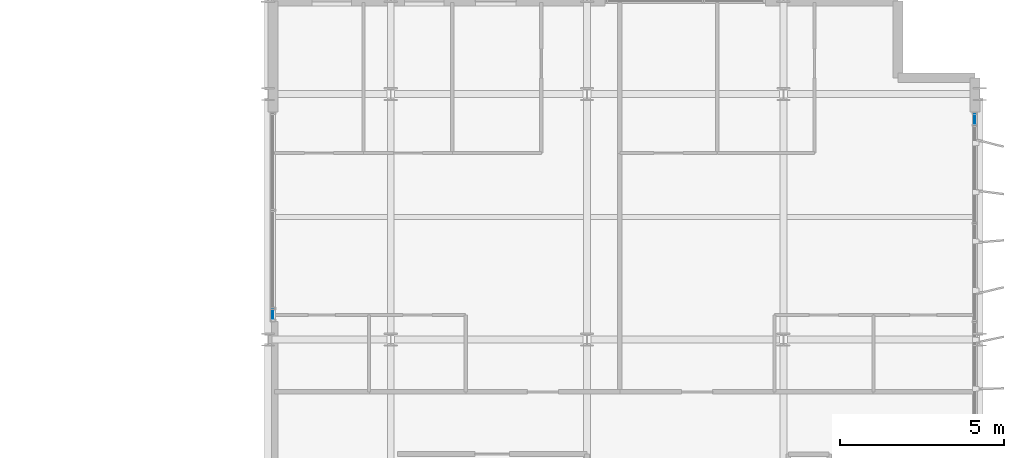
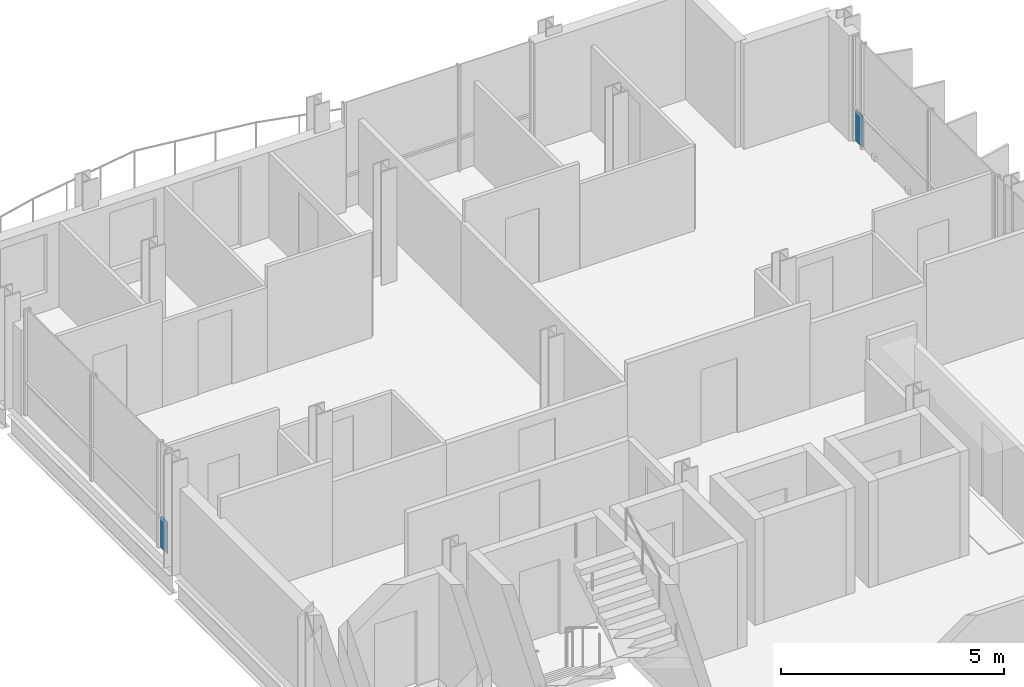
# One storey, part 20 of 28: 2 plates, 2 elements without a shape of their own.
"""IFC4 building model written with IfcOpenShell, lengths in metres."""

from ifc_helpers import new_model, si_unit, direction, frame, origin, origin_2d, place, context, subcontext, project, spatial, rectangle, extrude, material, layer, layer_set, type_object, element, aggregate, save


model = new_model("IFC4")

# Units and contexts
model_context = context("Model", 3, precision=1e-05, world=origin(), true_north=direction((0.0, 1.0)))
body_context = subcontext(model_context, "Body", "Model", "MODEL_VIEW")
ifc_project = project(units=[si_unit("LENGTHUNIT", "METRE"), si_unit("AREAUNIT", "SQUARE_METRE"), si_unit("VOLUMEUNIT", "CUBIC_METRE"), si_unit("PLANEANGLEUNIT", "RADIAN"), si_unit("MASSUNIT", "GRAM", prefix="KILO")], contexts=[model_context])

# Site, building, storey
site_placement = place(None, origin())
site = spatial("IfcSite", under=ifc_project, at=site_placement, CompositionType="ELEMENT")
building_placement = place(site_placement, origin())
building = spatial("IfcBuilding", under=site, at=building_placement, Name="Brevholm Reach", CompositionType="ELEMENT")
storey_placement = place(building_placement, frame((0.0, 0.0, 192.5)))
storey = spatial("IfcBuildingStorey", under=building, at=storey_placement, Name="L58", CompositionType="ELEMENT", Elevation=192.5)

# Curtain wall, plate
ifc_material_1 = material(Name="Dark Anodised Aluminium 6063-T6 and Solar-Control Glass", Category="aluminium")
ifc_layer_1 = layer(ifc_material_1, 0.1650390625)
ifc_layer_set_1 = layer_set([ifc_layer_1], Name="Dark Anodised Aluminium 6063-T6 and Solar-Control Glass")
curtain_wall_type_1 = type_object("IfcCurtainWallType", Name="CW-04", PredefinedType="NOTDEFINED", material=ifc_layer_set_1)
curtain_wall_1_placement = place(storey_placement, origin())
curtain_wall_1 = element("IfcCurtainWall", 1, at=curtain_wall_1_placement, inside=storey, type_object=curtain_wall_type_1, Name="L58 Curtain Wall CW-04", PredefinedType="NOTDEFINED")
ifc_material_2 = material(Name="Dark Solar-Control Double-Glazed IGU Glass", Category="glass")
ifc_layer_2 = layer(ifc_material_2, 0.028076171875)
ifc_layer_set_2 = layer_set([ifc_layer_2], Name="Dark Solar-Control Double-Glazed IGU Glass")
plate_type = type_object("IfcPlateType", Name="CWP-GLZ-28", PredefinedType="CURTAIN_PANEL", material=ifc_layer_set_2)
plate_1_placement = place(storey_placement, frame((38.39990234375, 16.767578125, 0.0), z_axis=(0.0, 0.0, 1.0), x_axis=(0.0, -1.0, 0.0)))
plate_1 = element("IfcPlate", 2, at=plate_1_placement, type_object=plate_type, Name="CP-01 Glazing Panel 3.1", PredefinedType="CURTAIN_PANEL", context=body_context, shape_type="SweptSolid", body=[
    extrude(rectangle(XDim=0.294921875, YDim=0.028076171875, at=origin_2d()), origin(), (0.0, 0.0, 1.0), 0.864990234375),
])
aggregate(curtain_wall_1, [plate_1])

ifc_material_3 = material(Name="Dark Anodised Aluminium 6063-T6 and Solar-Control Glass", Category="aluminium")
ifc_layer_3 = layer(ifc_material_3, 0.14990234375)
ifc_layer_set_3 = layer_set([ifc_layer_3], Name="Dark Anodised Aluminium 6063-T6 and Solar-Control Glass")
curtain_wall_type_2 = type_object("IfcCurtainWallType", Name="CW-01", PredefinedType="NOTDEFINED", material=ifc_layer_set_3)
curtain_wall_2_placement = place(storey_placement, origin())
curtain_wall_2 = element("IfcCurtainWall", 3, at=curtain_wall_2_placement, inside=storey, type_object=curtain_wall_type_2, Name="L58 Curtain Wall CW-01", PredefinedType="NOTDEFINED")
plate_2_placement = place(storey_placement, frame((59.85009765625, 22.733642578125, 0.0), z_axis=(0.0, 0.0, 1.0), x_axis=(0.0, 1.0, 0.0)))
plate_2 = element("IfcPlate", 4, at=plate_2_placement, type_object=plate_type, Name="CP-01 Glazing Panel 5.1", PredefinedType="CURTAIN_PANEL", context=body_context, shape_type="SweptSolid", body=[
    extrude(rectangle(XDim=0.302490234375, YDim=0.028076171875, at=origin_2d()), origin(), (0.0, 0.0, 1.0), 0.867431640625),
])
aggregate(curtain_wall_2, [plate_2])

save(model, "model.ifc")
